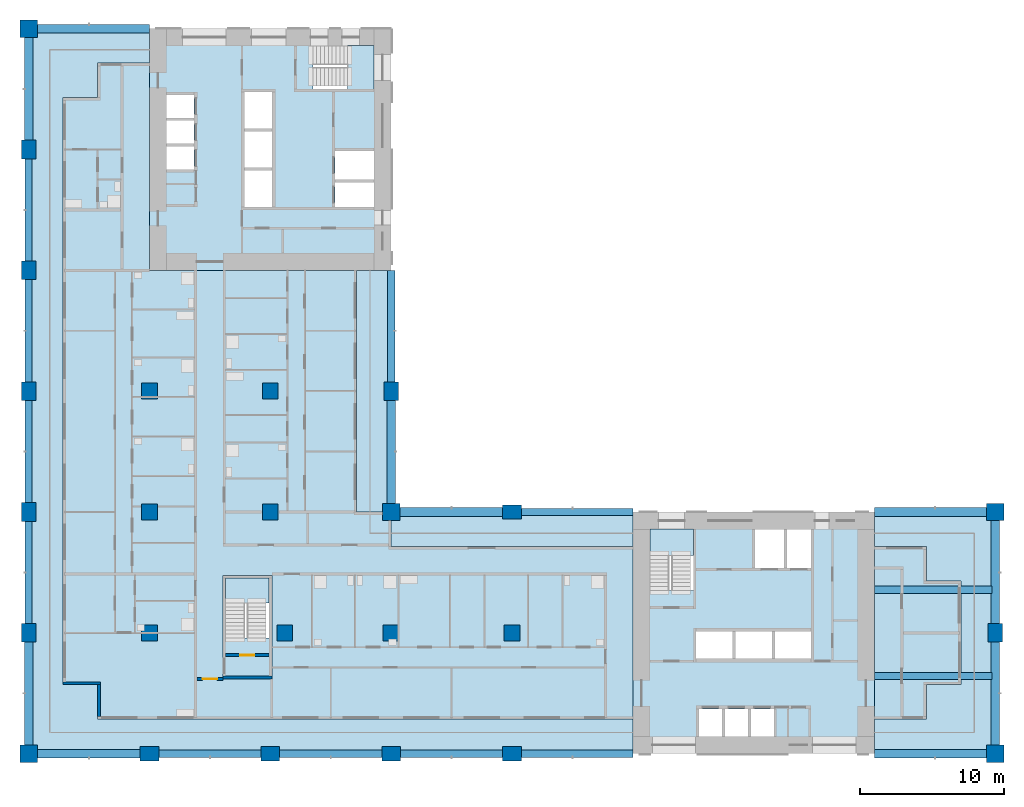
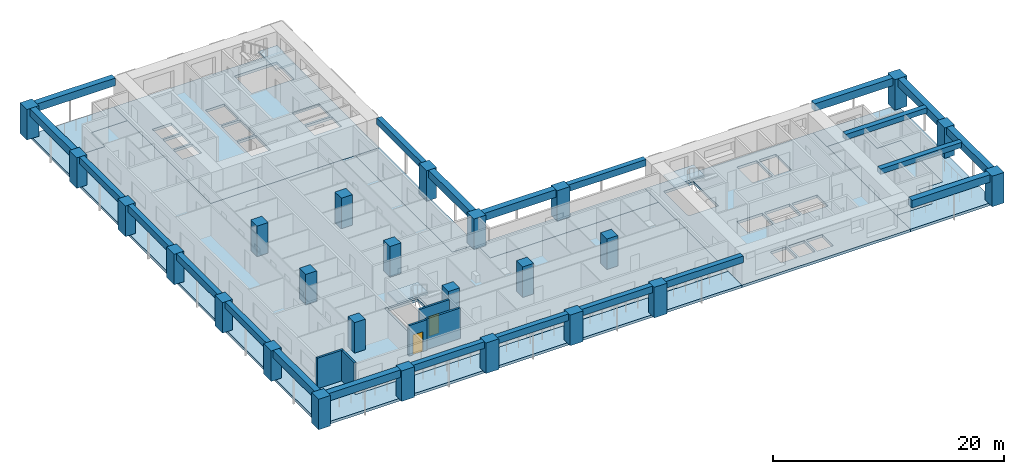
# One storey, part 1 of 16: 25 columns, 22 beams, 12 slabs, 5 walls, 2 doors, 2 openings, 3 elements without a shape of their own.
"""IFC4 building model written with IfcOpenShell, lengths in metres."""

from ifc_helpers import new_model, si_unit, direction, frame, frame_2d, origin, origin_2d, place, context, subcontext, project, spatial, polyline, rectangle, outline, extrude, material, layer, layer_set, material_profile, profile_set, type_object, element, fill, aggregate, save


model = new_model("IFC4")

# Units and contexts
model_context = context("Model", 3, precision=1e-05, world=origin(), true_north=direction((0.0, 1.0)))
body_context = subcontext(model_context, "Body", "Model", "MODEL_VIEW")
ifc_project = project(units=[si_unit("LENGTHUNIT", "METRE"), si_unit("AREAUNIT", "SQUARE_METRE"), si_unit("VOLUMEUNIT", "CUBIC_METRE"), si_unit("PLANEANGLEUNIT", "RADIAN"), si_unit("MASSUNIT", "GRAM", prefix="KILO")], contexts=[model_context])

# Site, building, storey
site_placement = place(None, origin())
site = spatial("IfcSite", under=ifc_project, at=site_placement, CompositionType="ELEMENT")
building_placement = place(site_placement, origin())
building = spatial("IfcBuilding", under=site, at=building_placement, Name="Vermilion Gate Residences", CompositionType="ELEMENT")
storey_placement = place(building_placement, frame((0.0, 0.0, 126.699951171875)))
storey = spatial("IfcBuildingStorey", under=building, at=storey_placement, Name="L32", CompositionType="ELEMENT", Elevation=126.699951171875)

# Columns
ifc_material_1 = material(Name="Concrete C70", Category="concrete")
ifc_material_profile_1 = material_profile(ifc_material_1, rectangle(XDim=1.10009765625, YDim=1.10009765625, at=origin_2d()), Name="RC-1100x1100")
ifc_profile_set_1 = profile_set([ifc_material_profile_1], Name="Concrete C70")
column_type_1 = type_object("IfcColumnType", Name="RC COLUMN 1100 X 1100 C70", PredefinedType="COLUMN", material=ifc_profile_set_1)
for number, where, z_axis, x_axis, name in (
    (1, (8.39990234375, 16.800048828125, 0.0), (0.0, 0.0, 1.0), (1.0, 0.0, 0.0), "Column 2-C L32"),
    (2, (8.39990234375, 25.199951171875, 0.0), (0.0, 0.0, 1.0), (1.0, 0.0, 0.0), "Column 2-D L32"),
    (3, (8.39990234375, 33.60009765625, 0.0), (0.0, 0.0, 1.0), (1.0, 0.0, 0.0), "Column 2-E L32"),
    (4, (17.800048828125, 16.800048828125, 0.0), (0.0, 0.0, 1.0), (1.0, 0.0, 0.0), "Column 3-C L32"),
    (5, (16.800048828125, 25.199951171875, 0.0), (0.0, 0.0, 1.0), (1.0, 0.0, 0.0), "Column 3-D L32"),
    (6, (16.800048828125, 33.60009765625, 0.0), (0.0, 0.0, 1.0), (1.0, 0.0, 0.0), "Column 3-E L32"),
    (7, (25.199951171875, 16.800048828125, 0.0), (0.0, 0.0, 1.0), (1.0, 0.0, 0.0), "Column 4-C L32"),
    (8, (33.60009765625, 16.800048828125, 0.0), (0.0, 0.0, 1.0), (1.0, 0.0, 0.0), "Column 5-C L32"),
):
    element("IfcColumn", number, at=place(storey_placement, frame(where, z_axis=z_axis, x_axis=x_axis)), inside=storey, type_object=column_type_1, Name=name, PredefinedType="COLUMN", context=body_context, shape_type="SweptSolid", body=[
        extrude(rectangle(XDim=1.10009765625, YDim=1.10009765625, at=origin_2d()), origin(), (0.0, 0.0, 1.0), 3.219970703125),
    ])
ifc_material_2 = material(Name="Concrete C70", Category="concrete")
ifc_material_profile_2 = material_profile(ifc_material_2, rectangle(XDim=1.199951171875, YDim=1.199951171875, at=origin_2d()), Name="RC-1200x1200")
ifc_profile_set_2 = profile_set([ifc_material_profile_2], Name="Concrete C70")
column_type_2 = type_object("IfcColumnType", Name="RC COLUMN 1200 X 1200 C70", PredefinedType="COLUMN", material=ifc_profile_set_2)
for number, where, z_axis, x_axis, name in (
    (9, (0.0, 8.39990234375, 0.0), (0.0, 0.0, 1.0), (1.0, 0.0, 0.0), "Column 1-B L32"),
    (10, (0.0, 58.800048828125, 0.0), (0.0, 0.0, 1.0), (1.0, 0.0, 0.0), "Column 1-H L32"),
    (11, (25.199951171875, 25.199951171875, 0.0), (0.0, 0.0, 1.0), (1.0, 0.0, 0.0), "Column 4-D L32"),
    (12, (67.199951171875, 8.39990234375, 0.0), (0.0, 0.0, 1.0), (1.0, 0.0, 0.0), "Column 9-B L32"),
    (13, (67.199951171875, 25.199951171875, 0.0), (0.0, 0.0, 1.0), (1.0, 0.0, 0.0), "Column 9-D L32"),
):
    element("IfcColumn", number, at=place(storey_placement, frame(where, z_axis=z_axis, x_axis=x_axis)), inside=storey, type_object=column_type_2, Name=name, PredefinedType="COLUMN", context=body_context, shape_type="SweptSolid", body=[
        extrude(rectangle(XDim=1.199951171875, YDim=1.199951171875, at=origin_2d()), origin(), (0.0, 0.0, 1.0), 3.219970703125),
    ])
ifc_material_3 = material(Name="Concrete C70", Category="concrete")
ifc_material_profile_3 = material_profile(ifc_material_3, rectangle(XDim=1.300048828125, YDim=1.0, at=origin_2d()), Name="RC-1300x1000")
ifc_profile_set_3 = profile_set([ifc_material_profile_3], Name="Concrete C70")
column_type_3 = type_object("IfcColumnType", Name="RC COLUMN 1300 X 1000 C70", PredefinedType="COLUMN", material=ifc_profile_set_3)
for number, where, z_axis, x_axis, name in (
    (14, (0.0, 16.800048828125, 0.0), (0.0, 0.0, 1.0), (0.0, 1.0, 0.0), "Column 1-C L32"),
    (15, (0.0, 25.199951171875, 0.0), (0.0, 0.0, 1.0), (0.0, 1.0, 0.0), "Column 1-D L32"),
    (16, (0.0, 33.60009765625, 0.0), (0.0, 0.0, 1.0), (0.0, 1.0, 0.0), "Column 1-E L32"),
    (17, (0.0, 42.0, 0.0), (0.0, 0.0, 1.0), (0.0, 1.0, 0.0), "Column 1-F L32"),
    (18, (0.0, 50.39990234375, 0.0), (0.0, 0.0, 1.0), (0.0, 1.0, 0.0), "Column 1-G L32"),
    (19, (8.39990234375, 8.39990234375, 0.0), (0.0, 0.0, 1.0), (1.0, 0.0, 0.0), "Column 2-B L32"),
    (20, (16.800048828125, 8.39990234375, 0.0), (0.0, 0.0, 1.0), (1.0, 0.0, 0.0), "Column 3-B L32"),
    (21, (25.199951171875, 8.39990234375, 0.0), (0.0, 0.0, 1.0), (1.0, 0.0, 0.0), "Column 4-B L32"),
    (22, (25.199951171875, 33.60009765625, 0.0), (0.0, 0.0, 1.0), (0.0, 1.0, 0.0), "Column 4-E L32"),
    (23, (33.60009765625, 8.39990234375, 0.0), (0.0, 0.0, 1.0), (1.0, 0.0, 0.0), "Column 5-B L32"),
    (24, (33.60009765625, 25.199951171875, 0.0), (0.0, 0.0, 1.0), (1.0, 0.0, 0.0), "Column 5-D L32"),
    (25, (67.199951171875, 16.800048828125, 0.0), (0.0, 0.0, 1.0), (0.0, 1.0, 0.0), "Column 9-C L32"),
):
    element("IfcColumn", number, at=place(storey_placement, frame(where, z_axis=z_axis, x_axis=x_axis)), inside=storey, type_object=column_type_3, Name=name, PredefinedType="COLUMN", context=body_context, shape_type="SweptSolid", body=[
        extrude(rectangle(XDim=1.300048828125, YDim=1.0, at=origin_2d()), origin(), (0.0, 0.0, 1.0), 3.219970703125),
    ])

# Beams
ifc_material_4 = material(Name="Concrete C60 red-oxide pigmented", Category="concrete")
ifc_material_profile_4 = material_profile(ifc_material_4, rectangle(XDim=0.60009765625, YDim=0.800048828125, at=origin_2d()), Name="RC-600x800")
ifc_profile_set_4 = profile_set([ifc_material_profile_4], Name="Concrete C60 red-oxide pigmented")
beam_type_1 = type_object("IfcBeamType", Name="RC CORNER EDGE BEAM 600 X 800 C60", PredefinedType="BEAM", material=ifc_profile_set_4)
for number, where, z_axis, x_axis, name in (
    (26, (0.60009765625, 8.39990234375, 2.820068359375), (1.0, 0.0, 0.0), (0.0, 1.0, 0.0), "Corner edge beam L32 1"),
    (27, (0.0, 9.0, 2.820068359375), (0.0, 1.0, 0.0), (-1.0, 0.0, 0.0), "Corner edge beam L32 2"),
):
    element("IfcBeam", number, at=place(storey_placement, frame(where, z_axis=z_axis, x_axis=x_axis)), inside=storey, type_object=beam_type_1, Name=name, PredefinedType="BEAM", context=body_context, shape_type="SweptSolid", body=[
        extrude(rectangle(XDim=0.60009765625, YDim=0.800048828125, at=origin_2d()), origin(), (0.0, 0.0, 1.0), 7.14990234375),
    ])
beam_1_placement = place(storey_placement, frame((0.60009765625, 58.800048828125, 2.820068359375), z_axis=(1.0, 0.0, 0.0), x_axis=(0.0, 1.0, 0.0)))
element("IfcBeam", 28, at=beam_1_placement, inside=storey, type_object=beam_type_1, Name="Corner edge beam L32 7", PredefinedType="BEAM", context=body_context, shape_type="SweptSolid", body=[
    extrude(rectangle(XDim=0.60009765625, YDim=0.800048828125, at=origin_2d()), origin(), (0.0, 0.0, 1.0), 7.7998046875),
])
for number, where, z_axis, x_axis, name in (
    (29, (0.0, 51.050048828125, 2.820068359375), (0.0, 1.0, 0.0), (-1.0, 0.0, 0.0), "Corner edge beam L32 8"),
    (30, (25.199951171875, 25.800048828125, 2.820068359375), (0.0, 1.0, 0.0), (-1.0, 0.0, 0.0), "Corner edge beam L32 11"),
    (31, (25.800048828125, 25.199951171875, 2.820068359375), (1.0, 0.0, 0.0), (0.0, 1.0, 0.0), "Corner edge beam L32 14"),
):
    element("IfcBeam", number, at=place(storey_placement, frame(where, z_axis=z_axis, x_axis=x_axis)), inside=storey, type_object=beam_type_1, Name=name, PredefinedType="BEAM", context=body_context, shape_type="SweptSolid", body=[
        extrude(rectangle(XDim=0.60009765625, YDim=0.800048828125, at=origin_2d()), origin(), (0.0, 0.0, 1.0), 7.14990234375),
    ])
beam_2_placement = place(storey_placement, frame((58.800048828125, 8.39990234375, 2.820068359375), z_axis=(1.0, 0.0, 0.0), x_axis=(0.0, 1.0, 0.0)))
element("IfcBeam", 32, at=beam_2_placement, inside=storey, type_object=beam_type_1, Name="Corner edge beam L32 17", PredefinedType="BEAM", context=body_context, shape_type="SweptSolid", body=[
    extrude(rectangle(XDim=0.60009765625, YDim=0.800048828125, at=origin_2d()), origin(), (0.0, 0.0, 1.0), 7.800048828125),
])
beam_3_placement = place(storey_placement, frame((67.199951171875, 9.0, 2.820068359375), z_axis=(0.0, 1.0, 0.0), x_axis=(-1.0, 0.0, 0.0)))
element("IfcBeam", 33, at=beam_3_placement, inside=storey, type_object=beam_type_1, Name="Corner edge beam L32 18", PredefinedType="BEAM", context=body_context, shape_type="SweptSolid", body=[
    extrude(rectangle(XDim=0.60009765625, YDim=0.800048828125, at=origin_2d()), origin(), (0.0, 0.0, 1.0), 7.14990234375),
])
beam_4_placement = place(storey_placement, frame((67.199951171875, 17.449951171875, 2.820068359375), z_axis=(0.0, 1.0, 0.0), x_axis=(-1.0, 0.0, 0.0)))
element("IfcBeam", 34, at=beam_4_placement, inside=storey, type_object=beam_type_1, Name="Corner edge beam L32 19", PredefinedType="BEAM", context=body_context, shape_type="SweptSolid", body=[
    extrude(rectangle(XDim=0.60009765625, YDim=0.800048828125, at=origin_2d()), origin(), (0.0, 0.0, 1.0), 7.150146484375),
])
beam_5_placement = place(storey_placement, frame((58.800048828125, 25.199951171875, 2.820068359375), z_axis=(1.0, 0.0, 0.0), x_axis=(0.0, 1.0, 0.0)))
element("IfcBeam", 35, at=beam_5_placement, inside=storey, type_object=beam_type_1, Name="Corner edge beam L32 20", PredefinedType="BEAM", context=body_context, shape_type="SweptSolid", body=[
    extrude(rectangle(XDim=0.60009765625, YDim=0.800048828125, at=origin_2d()), origin(), (0.0, 0.0, 1.0), 7.800048828125),
])
ifc_material_5 = material(Name="Concrete C60 red-oxide pigmented", Category="concrete")
ifc_material_profile_5 = material_profile(ifc_material_5, rectangle(XDim=0.5, YDim=0.699951171875, at=origin_2d()), Name="RC-500x700")
ifc_profile_set_5 = profile_set([ifc_material_profile_5], Name="Concrete C60 red-oxide pigmented")
beam_type_2 = type_object("IfcBeamType", Name="RC EDGE BEAM 500 X 700 C60", PredefinedType="BEAM", material=ifc_profile_set_5)
beam_6_placement = place(storey_placement, frame((0.0, 17.449951171875, 2.8701171875), z_axis=(0.0, 1.0, 0.0), x_axis=(-1.0, 0.0, 0.0)))
element("IfcBeam", 36, at=beam_6_placement, inside=storey, type_object=beam_type_2, Name="Edge beam L32 3", PredefinedType="BEAM", context=body_context, shape_type="SweptSolid", body=[
    extrude(rectangle(XDim=0.5, YDim=0.699951171875, at=origin_2d()), origin(), (0.0, 0.0, 1.0), 7.10009765625),
])
beam_7_placement = place(storey_placement, frame((0.0, 25.85009765625, 2.8701171875), z_axis=(0.0, 1.0, 0.0), x_axis=(-1.0, 0.0, 0.0)))
element("IfcBeam", 37, at=beam_7_placement, inside=storey, type_object=beam_type_2, Name="Edge beam L32 4", PredefinedType="BEAM", context=body_context, shape_type="SweptSolid", body=[
    extrude(rectangle(XDim=0.5, YDim=0.699951171875, at=origin_2d()), origin(), (0.0, 0.0, 1.0), 7.099853515625),
])
for number, where, z_axis, x_axis, name in (
    (38, (0.0, 34.25, 2.8701171875), (0.0, 1.0, 0.0), (-1.0, 0.0, 0.0), "Edge beam L32 5"),
    (39, (0.0, 42.64990234375, 2.8701171875), (0.0, 1.0, 0.0), (-1.0, 0.0, 0.0), "Edge beam L32 6"),
):
    element("IfcBeam", number, at=place(storey_placement, frame(where, z_axis=z_axis, x_axis=x_axis)), inside=storey, type_object=beam_type_2, Name=name, PredefinedType="BEAM", context=body_context, shape_type="SweptSolid", body=[
        extrude(rectangle(XDim=0.5, YDim=0.699951171875, at=origin_2d()), origin(), (0.0, 0.0, 1.0), 7.10009765625),
    ])
beam_8_placement = place(storey_placement, frame((9.050048828125, 8.39990234375, 2.8701171875), z_axis=(1.0, 0.0, 0.0), x_axis=(0.0, 1.0, 0.0)))
element("IfcBeam", 40, at=beam_8_placement, inside=storey, type_object=beam_type_2, Name="Edge beam L32 9", PredefinedType="BEAM", context=body_context, shape_type="SweptSolid", body=[
    extrude(rectangle(XDim=0.5, YDim=0.699951171875, at=origin_2d()), origin(), (0.0, 0.0, 1.0), 7.099853515625),
])
beam_9_placement = place(storey_placement, frame((17.449951171875, 8.39990234375, 2.8701171875), z_axis=(1.0, 0.0, 0.0), x_axis=(0.0, 1.0, 0.0)))
element("IfcBeam", 41, at=beam_9_placement, inside=storey, type_object=beam_type_2, Name="Edge beam L32 10", PredefinedType="BEAM", context=body_context, shape_type="SweptSolid", body=[
    extrude(rectangle(XDim=0.5, YDim=0.699951171875, at=origin_2d()), origin(), (0.0, 0.0, 1.0), 7.10009765625),
])
beam_10_placement = place(storey_placement, frame((25.199951171875, 34.25, 2.8701171875), z_axis=(0.0, 1.0, 0.0), x_axis=(-1.0, 0.0, 0.0)))
element("IfcBeam", 42, at=beam_10_placement, inside=storey, type_object=beam_type_2, Name="Edge beam L32 12", PredefinedType="BEAM", context=body_context, shape_type="SweptSolid", body=[
    extrude(rectangle(XDim=0.5, YDim=0.699951171875, at=origin_2d()), origin(), (0.0, 0.0, 1.0), 7.75),
])
beam_11_placement = place(storey_placement, frame((25.85009765625, 8.39990234375, 2.8701171875), z_axis=(1.0, 0.0, 0.0), x_axis=(0.0, 1.0, 0.0)))
element("IfcBeam", 43, at=beam_11_placement, inside=storey, type_object=beam_type_2, Name="Edge beam L32 13", PredefinedType="BEAM", context=body_context, shape_type="SweptSolid", body=[
    extrude(rectangle(XDim=0.5, YDim=0.699951171875, at=origin_2d()), origin(), (0.0, 0.0, 1.0), 7.099853515625),
])
for number, where, z_axis, x_axis, name in (
    (44, (34.25, 8.39990234375, 2.8701171875), (1.0, 0.0, 0.0), (0.0, 1.0, 0.0), "Edge beam L32 15"),
    (45, (34.25, 25.199951171875, 2.8701171875), (1.0, 0.0, 0.0), (0.0, 1.0, 0.0), "Edge beam L32 16"),
):
    element("IfcBeam", number, at=place(storey_placement, frame(where, z_axis=z_axis, x_axis=x_axis)), inside=storey, type_object=beam_type_2, Name=name, PredefinedType="BEAM", context=body_context, shape_type="SweptSolid", body=[
        extrude(rectangle(XDim=0.5, YDim=0.699951171875, at=origin_2d()), origin(), (0.0, 0.0, 1.0), 7.75),
    ])
ifc_material_6 = material(Name="Concrete C60", Category="concrete")
ifc_material_profile_6 = material_profile(ifc_material_6, rectangle(XDim=0.5, YDim=0.550048828125, at=origin_2d()), Name="RC-500x550")
ifc_profile_set_6 = profile_set([ifc_material_profile_6], Name="Concrete C60")
beam_type_3 = type_object("IfcBeamType", Name="RC WING BEAM 500 X 550 C60", PredefinedType="BEAM", material=ifc_profile_set_6)
for number, where, z_axis, x_axis, name in (
    (46, (58.800048828125, 13.800048828125, 2.945068359375), (1.0, 0.0, 0.0), (0.0, 1.0, 0.0), "Wing-end beam L32 1"),
    (47, (58.800048828125, 19.800048828125, 2.945068359375), (1.0, 0.0, 0.0), (0.0, 1.0, 0.0), "Wing-end beam L32 2"),
):
    element("IfcBeam", number, at=place(storey_placement, frame(where, z_axis=z_axis, x_axis=x_axis)), inside=storey, type_object=beam_type_3, Name=name, PredefinedType="BEAM", context=body_context, shape_type="SweptSolid", body=[
        extrude(rectangle(XDim=0.5, YDim=0.550048828125, at=origin_2d()), origin(), (0.0, 0.0, 1.0), 8.14990234375),
    ])

# Slabs
ifc_material_7 = material(Name="Concrete C50", Category="concrete")
ifc_layer_1 = layer(ifc_material_7, 0.280029296875)
ifc_layer_set_1 = layer_set([ifc_layer_1], Name="RC CORE FLOOR SLAB 280 C50")
slab_type_1 = type_object("IfcSlabType", Name="RC CORE FLOOR SLAB 280 C50", PredefinedType="FLOOR", material=ifc_layer_set_1)
slab_1_placement = place(storey_placement, frame((0.0, 0.0, -0.280029296875)))
element("IfcSlab", 48, at=slab_1_placement, inside=storey, type_object=slab_type_1, Name="Core floor slab A32", PredefinedType="FLOOR", context=body_context, shape_type="SweptSolid", body=[
    extrude(outline(polyline([(42.0, 8.39990234375), (58.800048828125, 8.39990234375), (58.800048828125, 25.199951171875), (42.0, 25.199951171875), (42.0, 8.39990234375)]), holes=[polyline([(46.60009765625, 11.5), (48.199951171875, 11.5), (48.199951171875, 9.60009765625), (46.60009765625, 9.60009765625), (46.60009765625, 11.5)]), polyline([(48.39990234375, 11.5), (50.0, 11.5), (50.0, 9.60009765625), (48.39990234375, 9.60009765625), (48.39990234375, 11.5)]), polyline([(50.199951171875, 11.5), (51.800048828125, 11.5), (51.800048828125, 9.60009765625), (50.199951171875, 9.60009765625), (50.199951171875, 11.5)]), polyline([(46.39990234375, 16.89990234375), (48.933349609375, 16.89990234375), (48.933349609375, 15.0), (46.39990234375, 15.0), (46.39990234375, 16.89990234375)]), polyline([(49.13330078125, 16.89990234375), (51.666748046875, 16.89990234375), (51.666748046875, 15.0), (49.13330078125, 15.0), (49.13330078125, 16.89990234375)]), polyline([(51.86669921875, 16.89990234375), (54.39990234375, 16.89990234375), (54.39990234375, 15.0), (51.86669921875, 15.0), (51.86669921875, 16.89990234375)]), polyline([(43.199951171875, 24.0), (46.199951171875, 24.0), (46.199951171875, 19.75), (43.199951171875, 19.75), (43.199951171875, 24.0)]), polyline([(52.5, 24.0), (52.5, 21.300048828125), (50.5, 21.300048828125), (50.5, 24.0), (52.5, 24.0)]), polyline([(54.39990234375, 24.0), (54.39990234375, 21.300048828125), (52.699951171875, 21.300048828125), (52.699951171875, 24.0), (54.39990234375, 24.0)])]), origin(), (0.0, 0.0, 1.0), 0.280029296875),
])
slab_2_placement = place(storey_placement, frame((0.0, 0.0, -0.280029296875)))
element("IfcSlab", 49, at=slab_2_placement, inside=storey, type_object=slab_type_1, Name="Core floor slab B32", PredefinedType="FLOOR", context=body_context, shape_type="SweptSolid", body=[
    extrude(outline(polyline([(8.39990234375, 42.0), (25.199951171875, 42.0), (25.199951171875, 58.800048828125), (8.39990234375, 58.800048828125), (8.39990234375, 42.0)]), holes=[polyline([(21.300048828125, 48.10009765625), (24.0, 48.10009765625), (24.0, 46.39990234375), (21.300048828125, 46.39990234375), (21.300048828125, 48.10009765625)]), polyline([(15.0, 48.933349609375), (16.89990234375, 48.933349609375), (16.89990234375, 46.39990234375), (15.0, 46.39990234375), (15.0, 48.933349609375)]), polyline([(21.300048828125, 50.300048828125), (24.0, 50.300048828125), (24.0, 48.300048828125), (21.300048828125, 48.300048828125), (21.300048828125, 50.300048828125)]), polyline([(9.60009765625, 50.60009765625), (11.5, 50.60009765625), (11.5, 49.0), (9.60009765625, 49.0), (9.60009765625, 50.60009765625)]), polyline([(15.0, 51.666748046875), (16.89990234375, 51.666748046875), (16.89990234375, 49.13330078125), (15.0, 49.13330078125), (15.0, 51.666748046875)]), polyline([(9.60009765625, 52.39990234375), (11.5, 52.39990234375), (11.5, 50.800048828125), (9.60009765625, 50.800048828125), (9.60009765625, 52.39990234375)]), polyline([(15.0, 54.39990234375), (16.89990234375, 54.39990234375), (16.89990234375, 51.86669921875), (15.0, 51.86669921875), (15.0, 54.39990234375)]), polyline([(11.5, 54.199951171875), (11.5, 52.60009765625), (9.60009765625, 52.60009765625), (9.60009765625, 54.199951171875), (11.5, 54.199951171875)]), polyline([(24.0, 57.60009765625), (24.0, 54.60009765625), (19.75, 54.60009765625), (19.75, 57.60009765625), (24.0, 57.60009765625)])]), origin(), (0.0, 0.0, 1.0), 0.280029296875),
])
slab_3_placement = place(storey_placement, frame((0.0, 0.0, -0.280029296875)))
element("IfcSlab", 50, at=slab_3_placement, inside=storey, type_object=slab_type_1, Name="Apex stair floor slab 32", PredefinedType="FLOOR", context=body_context, shape_type="SweptSolid", body=[
    extrude(outline(polyline([(13.5, 13.60009765625), (16.89990234375, 13.60009765625), (16.89990234375, 20.800048828125), (13.5, 20.800048828125), (13.5, 13.60009765625)]), holes=[polyline([(16.699951171875, 20.60009765625), (16.699951171875, 16.449951171875), (13.699951171875, 16.449951171875), (13.699951171875, 20.60009765625), (16.699951171875, 20.60009765625)])]), origin(), (0.0, 0.0, 1.0), 0.280029296875),
])
ifc_material_8 = material(Name="Concrete C50", Category="concrete")
ifc_layer_2 = layer(ifc_material_8, 0.280029296875)
ifc_layer_set_2 = layer_set([ifc_layer_2], Name="RC FLAT PLATE 280 C50")
slab_type_2 = type_object("IfcSlabType", Name="RC FLAT PLATE 280 C50", PredefinedType="FLOOR", material=ifc_layer_set_2)
slab_4_placement = place(storey_placement, frame((0.0, 0.0, -0.280029296875)))
element("IfcSlab", 51, at=slab_4_placement, inside=storey, type_object=slab_type_2, Name="Floor slab L32", PredefinedType="FLOOR", context=body_context, shape_type="SweptSolid", body=[
    extrude(outline(polyline([(22.800048828125, 25.199951171875), (22.800048828125, 42.0), (8.39990234375, 42.0), (8.39990234375, 56.39990234375), (4.800048828125, 56.39990234375), (4.800048828125, 54.0), (2.39990234375, 54.0), (2.39990234375, 13.199951171875), (4.800048828125, 13.199951171875), (4.800048828125, 10.800048828125), (42.0, 10.800048828125), (42.0, 22.800048828125), (25.199951171875, 22.800048828125), (25.199951171875, 25.199951171875), (22.800048828125, 25.199951171875)]), holes=[polyline([(13.5, 13.60009765625), (13.5, 20.800048828125), (16.89990234375, 20.800048828125), (16.89990234375, 13.60009765625), (13.5, 13.60009765625)])]), origin(), (0.0, 0.0, 1.0), 0.280029296875),
])
slab_5_placement = place(storey_placement, frame((0.0, 0.0, -0.280029296875)))
element("IfcSlab", 52, at=slab_5_placement, inside=storey, type_object=slab_type_2, Name="Floor slab L32", PredefinedType="FLOOR", context=body_context, shape_type="SweptSolid", body=[
    extrude(outline(polyline([(58.800048828125, 22.800048828125), (58.800048828125, 10.800048828125), (62.39990234375, 10.800048828125), (62.39990234375, 13.199951171875), (64.800048828125, 13.199951171875), (64.800048828125, 20.39990234375), (62.39990234375, 20.39990234375), (62.39990234375, 22.800048828125), (58.800048828125, 22.800048828125)])), origin(), (0.0, 0.0, 1.0), 0.280029296875),
])
ifc_material_9 = material(Name="Concrete C50 red-oxide pigmented", Category="concrete")
ifc_layer_3 = layer(ifc_material_9, 0.280029296875)
ifc_layer_set_3 = layer_set([ifc_layer_3], Name="RC LOGGIA SLAB 280 C50")
slab_type_3 = type_object("IfcSlabType", Name="RC LOGGIA SLAB 280 C50", PredefinedType="FLOOR", material=ifc_layer_set_3)
slab_6_placement = place(storey_placement, frame((0.0, 0.0, -0.280029296875)))
element("IfcSlab", 53, at=slab_6_placement, inside=storey, type_object=slab_type_3, Name="Loggia slab L32", PredefinedType="FLOOR", context=body_context, shape_type="SweptSolid", body=[
    extrude(outline(polyline([(0.0, 58.800048828125), (0.0, 8.39990234375), (42.0, 8.39990234375), (42.0, 10.800048828125), (4.800048828125, 10.800048828125), (4.800048828125, 13.199951171875), (2.39990234375, 13.199951171875), (2.39990234375, 54.0), (4.800048828125, 54.0), (4.800048828125, 56.39990234375), (8.39990234375, 56.39990234375), (8.39990234375, 58.800048828125), (0.0, 58.800048828125)])), origin(), (0.0, 0.0, 1.0), 0.280029296875),
])
slab_7_placement = place(storey_placement, frame((0.0, 0.0, -0.280029296875)))
element("IfcSlab", 54, at=slab_7_placement, inside=storey, type_object=slab_type_3, Name="Loggia slab L32", PredefinedType="FLOOR", context=body_context, shape_type="SweptSolid", body=[
    extrude(outline(polyline([(64.800048828125, 20.39990234375), (64.800048828125, 13.199951171875), (62.39990234375, 13.199951171875), (62.39990234375, 10.800048828125), (58.800048828125, 10.800048828125), (58.800048828125, 8.39990234375), (67.199951171875, 8.39990234375), (67.199951171875, 25.199951171875), (58.800048828125, 25.199951171875), (58.800048828125, 22.800048828125), (62.39990234375, 22.800048828125), (62.39990234375, 20.39990234375), (64.800048828125, 20.39990234375)])), origin(), (0.0, 0.0, 1.0), 0.280029296875),
])
slab_8_placement = place(storey_placement, frame((0.0, 0.0, -0.280029296875)))
element("IfcSlab", 55, at=slab_8_placement, inside=storey, type_object=slab_type_3, Name="Loggia slab L32", PredefinedType="FLOOR", context=body_context, shape_type="SweptSolid", body=[
    extrude(outline(polyline([(25.199951171875, 22.800048828125), (42.0, 22.800048828125), (42.0, 25.199951171875), (25.199951171875, 25.199951171875), (25.199951171875, 22.800048828125)])), origin(), (0.0, 0.0, 1.0), 0.280029296875),
])
slab_9_placement = place(storey_placement, frame((0.0, 0.0, -0.280029296875)))
element("IfcSlab", 56, at=slab_9_placement, inside=storey, type_object=slab_type_3, Name="Loggia slab L32", PredefinedType="FLOOR", context=body_context, shape_type="SweptSolid", body=[
    extrude(outline(polyline([(25.199951171875, 25.199951171875), (25.199951171875, 42.0), (22.800048828125, 42.0), (22.800048828125, 25.199951171875), (25.199951171875, 25.199951171875)])), origin(), (0.0, 0.0, 1.0), 0.280029296875),
])

# Stair, slab
ifc_material_10 = material(Name="Concrete C50", Category="concrete")
stair_type = type_object("IfcStairType", Name="SPECIAL ESCAPE STAIR 1300", PredefinedType="HALF_TURN_STAIR", material=ifc_material_10)
stair_1_placement = place(storey_placement, origin())
stair_1 = element("IfcStair", 57, at=stair_1_placement, inside=storey, type_object=stair_type, Name="Special escape stair STA1-32", PredefinedType="HALF_TURN_STAIR")
ifc_material_11 = material(Name="Concrete C50", Category="concrete")
ifc_layer_4 = layer(ifc_material_11, 0.199951171875)
ifc_layer_set_4 = layer_set([ifc_layer_4], Name="STAIR LANDING 200 C50")
slab_type_4 = type_object("IfcSlabType", Name="STAIR LANDING 200 C50", PredefinedType="LANDING", material=ifc_layer_set_4)
slab_10_placement = place(storey_placement, frame((0.0, 0.0, 1.550048828125)))
slab_10 = element("IfcSlab", 58, at=slab_10_placement, type_object=slab_type_4, Name="STA1-32 landing 1", PredefinedType="LANDING", context=body_context, shape_type="SweptSolid", body=[
    extrude(outline(polyline([(46.219970703125, 22.179931640625), (46.219970703125, 24.02001953125), (43.179931640625, 24.02001953125), (43.179931640625, 22.179931640625), (46.219970703125, 22.179931640625)])), origin(), (0.0, 0.0, 1.0), 0.199951171875),
])
aggregate(stair_1, [slab_10])

stair_2_placement = place(storey_placement, origin())
stair_2 = element("IfcStair", 59, at=stair_2_placement, inside=storey, type_object=stair_type, Name="Special escape stair STB1-32", PredefinedType="HALF_TURN_STAIR")
slab_11_placement = place(storey_placement, frame((0.0, 0.0, 1.550048828125)))
slab_11 = element("IfcSlab", 60, at=slab_11_placement, type_object=slab_type_4, Name="STB1-32 landing 1", PredefinedType="LANDING", context=body_context, shape_type="SweptSolid", body=[
    extrude(outline(polyline([(24.02001953125, 54.580078125), (24.02001953125, 57.6201171875), (22.179931640625, 57.6201171875), (22.179931640625, 54.580078125), (24.02001953125, 54.580078125)])), origin(), (0.0, 0.0, 1.0), 0.199951171875),
])
aggregate(stair_2, [slab_11])

stair_3_placement = place(storey_placement, origin())
stair_3 = element("IfcStair", 61, at=stair_3_placement, inside=storey, type_object=stair_type, Name="Special escape stair STC1-32", PredefinedType="HALF_TURN_STAIR")
slab_12_placement = place(storey_placement, frame((0.0, 0.0, 1.550048828125)))
slab_12 = element("IfcSlab", 62, at=slab_12_placement, type_object=slab_type_4, Name="STC1-32 landing 1", PredefinedType="LANDING", context=body_context, shape_type="SweptSolid", body=[
    extrude(outline(polyline([(16.719970703125, 18.8798828125), (16.719970703125, 20.6201171875), (13.679931640625, 20.6201171875), (13.679931640625, 18.8798828125), (16.719970703125, 18.8798828125)])), origin(), (0.0, 0.0, 1.0), 0.199951171875),
])
aggregate(stair_3, [slab_12])

# Walls
ifc_material_12 = material(Name="Insulated steel stud wall with terracotta rainscreen", Category="masonry")
ifc_layer_5 = layer(ifc_material_12, 0.199951171875)
ifc_layer_set_5 = layer_set([ifc_layer_5], Name="EXTERNAL WALL 200 TERRACOTTA RAINSCREEN")
wall_type_1 = type_object("IfcWallType", Name="EXTERNAL WALL 200 TERRACOTTA RAINSCREEN", PredefinedType="SOLIDWALL", material=ifc_layer_set_5)
wall_1_placement = place(storey_placement, frame((2.39990234375, 13.300048828125, 0.0), z_axis=(0.0, 0.0, 1.0), x_axis=(1.0, 0.0, 0.0)))
element("IfcWall", 63, at=wall_1_placement, inside=storey, type_object=wall_type_1, Name="External wall", PredefinedType="SOLIDWALL", context=body_context, shape_type="SweptSolid", body=[
    extrude(rectangle(XDim=2.60009765625, YDim=0.199951171875, at=frame_2d((1.300048828125, 0.0))), origin(), (0.0, 0.0, 1.0), 3.219970703125),
])
wall_2_placement = place(storey_placement, frame((4.89990234375, 13.199951171875, 0.0), z_axis=(0.0, 0.0, 1.0), x_axis=(0.0, -1.0, 0.0)))
element("IfcWall", 64, at=wall_2_placement, inside=storey, type_object=wall_type_1, Name="External wall", PredefinedType="SOLIDWALL", context=body_context, shape_type="SweptSolid", body=[
    extrude(rectangle(XDim=2.199951171875, YDim=0.199951171875, at=frame_2d((1.10009765625, 0.0))), origin(), (0.0, 0.0, 1.0), 3.219970703125),
])

# Wall, opening, door
ifc_material_13 = material(Name="Fire-rated plasterboard on steel studs", Category="steel")
ifc_layer_6 = layer(ifc_material_13, 0.199951171875)
ifc_layer_set_6 = layer_set([ifc_layer_6], Name="PARTY WALL 200 EI 120")
wall_type_2 = type_object("IfcWallType", Name="PARTY WALL 200 EI 120", PredefinedType="PARTITIONING", material=ifc_layer_set_6)
wall_3_placement = place(storey_placement, frame((11.699951171875, 13.60009765625, 0.0), z_axis=(0.0, 0.0, 1.0), x_axis=(1.0, 0.0, 0.0)))
wall_3 = element("IfcWall", 65, at=wall_3_placement, inside=storey, type_object=wall_type_2, Name="Party and corridor wall", PredefinedType="PARTITIONING", context=body_context, shape_type="SweptSolid", body=[
    extrude(rectangle(XDim=1.800048828125, YDim=0.199951171875, at=frame_2d((0.89990234375, 0.0))), origin(), (0.0, 0.0, 1.0), 3.219970703125),
])
opening_1_placement = place(wall_3_placement, frame((0.39990234375, 0.0, 0.0)))
opening_1 = element("IfcOpeningElement", 66, at=opening_1_placement, cuts=wall_3, Name="Opening DA32001", PredefinedType="OPENING", context=body_context, shape_type="SweptSolid", body=[
    extrude(rectangle(XDim=1.0, YDim=2.10009765625, at=frame_2d((0.5, 1.050048828125))), frame((0.0, 0.10986328125, 0.0), z_axis=(0.0, -1.0, 0.0), x_axis=(1.0, 0.0, 0.0)), (0.0, 0.0, 1.0), 0.219970703125),
])
ifc_material_14 = material(Name="Steel", Category="steel")
door_type_1 = type_object("IfcDoorType", Name="ENTRANCE DOOR 1000 X 2100 FD30", OperationType="SINGLE_SWING_LEFT", PredefinedType="DOOR", material=ifc_material_14)
door_1_placement = place(opening_1_placement, frame((1.0, 0.0, 0.0), z_axis=(0.0, 0.0, 1.0), x_axis=(-1.0, 0.0, 0.0)))
door_1 = element("IfcDoor", 67, at=door_1_placement, inside=storey, type_object=door_type_1, Name="Entrance door", OperationType="SINGLE_SWING_RIGHT", OverallHeight=2.10009765625, OverallWidth=1.0, PredefinedType="DOOR", context=body_context, shape_type="SweptSolid", body=[
    extrude(rectangle(XDim=1.0, YDim=2.10009765625, at=frame_2d((0.5, 1.050048828125))), frame((0.0, 0.02490234375, 0.0), z_axis=(0.0, -1.0, 0.0), x_axis=(1.0, 0.0, 0.0)), (0.0, 0.0, 1.0), 0.050048828125),
])
fill(opening_1, door_1)

# Wall
ifc_material_15 = material(Name="Concrete C60", Category="concrete")
ifc_layer_7 = layer(ifc_material_15, 0.199951171875)
ifc_layer_set_7 = layer_set([ifc_layer_7], Name="RC CORE INTERNAL WALL 200 C60")
wall_type_3 = type_object("IfcWallType", Name="RC CORE INTERNAL WALL 200 C60", PredefinedType="SHEAR", material=ifc_layer_set_7)
wall_4_placement = place(storey_placement, frame((13.5, 13.699951171875, 0.0), z_axis=(0.0, 0.0, 1.0), x_axis=(1.0, 0.0, 0.0)))
element("IfcWall", 68, at=wall_4_placement, inside=storey, type_object=wall_type_3, Name="Core internal wall C32-S", PredefinedType="SHEAR", context=body_context, shape_type="SweptSolid", body=[
    extrude(rectangle(XDim=3.39990234375, YDim=0.199951171875, at=frame_2d((1.699951171875, 0.0))), origin(), (0.0, 0.0, 1.0), 3.219970703125),
])

# Wall, opening, door
wall_5_placement = place(storey_placement, frame((13.699951171875, 15.25, 0.0), z_axis=(0.0, 0.0, 1.0), x_axis=(1.0, 0.0, 0.0)))
wall_5 = element("IfcWall", 69, at=wall_5_placement, inside=storey, type_object=wall_type_3, Name="Core internal wall C32-P", PredefinedType="SHEAR", context=body_context, shape_type="SweptSolid", body=[
    extrude(rectangle(XDim=3.0, YDim=0.199951171875, at=frame_2d((1.5, 0.0))), origin(), (0.0, 0.0, 1.0), 3.219970703125),
])
opening_2_placement = place(wall_5_placement, frame((1.0, 0.0, 0.0)))
opening_2 = element("IfcOpeningElement", 70, at=opening_2_placement, cuts=wall_5, Name="Opening DK32202", PredefinedType="OPENING", context=body_context, shape_type="SweptSolid", body=[
    extrude(rectangle(XDim=1.0, YDim=2.10009765625, at=frame_2d((0.5, 1.050048828125))), frame((0.0, 0.10986328125, 0.0), z_axis=(0.0, -1.0, 0.0), x_axis=(1.0, 0.0, 0.0)), (0.0, 0.0, 1.0), 0.219970703125),
])
ifc_material_16 = material(Name="Steel", Category="steel")
door_type_2 = type_object("IfcDoorType", Name="FIRE DOOR FD60 1000 X 2100", OperationType="SINGLE_SWING_LEFT", PredefinedType="DOOR", material=ifc_material_16)
door_2_placement = place(opening_2_placement, origin())
door_2 = element("IfcDoor", 71, at=door_2_placement, inside=storey, type_object=door_type_2, Name="Stair door C32", OperationType="SINGLE_SWING_LEFT", OverallHeight=2.10009765625, OverallWidth=1.0, PredefinedType="DOOR", context=body_context, shape_type="SweptSolid", body=[
    extrude(rectangle(XDim=1.0, YDim=2.10009765625, at=frame_2d((0.5, 1.050048828125))), frame((0.0, 0.02490234375, 0.0), z_axis=(0.0, -1.0, 0.0), x_axis=(1.0, 0.0, 0.0)), (0.0, 0.0, 1.0), 0.050048828125),
])
fill(opening_2, door_2)

save(model, "model.ifc")
